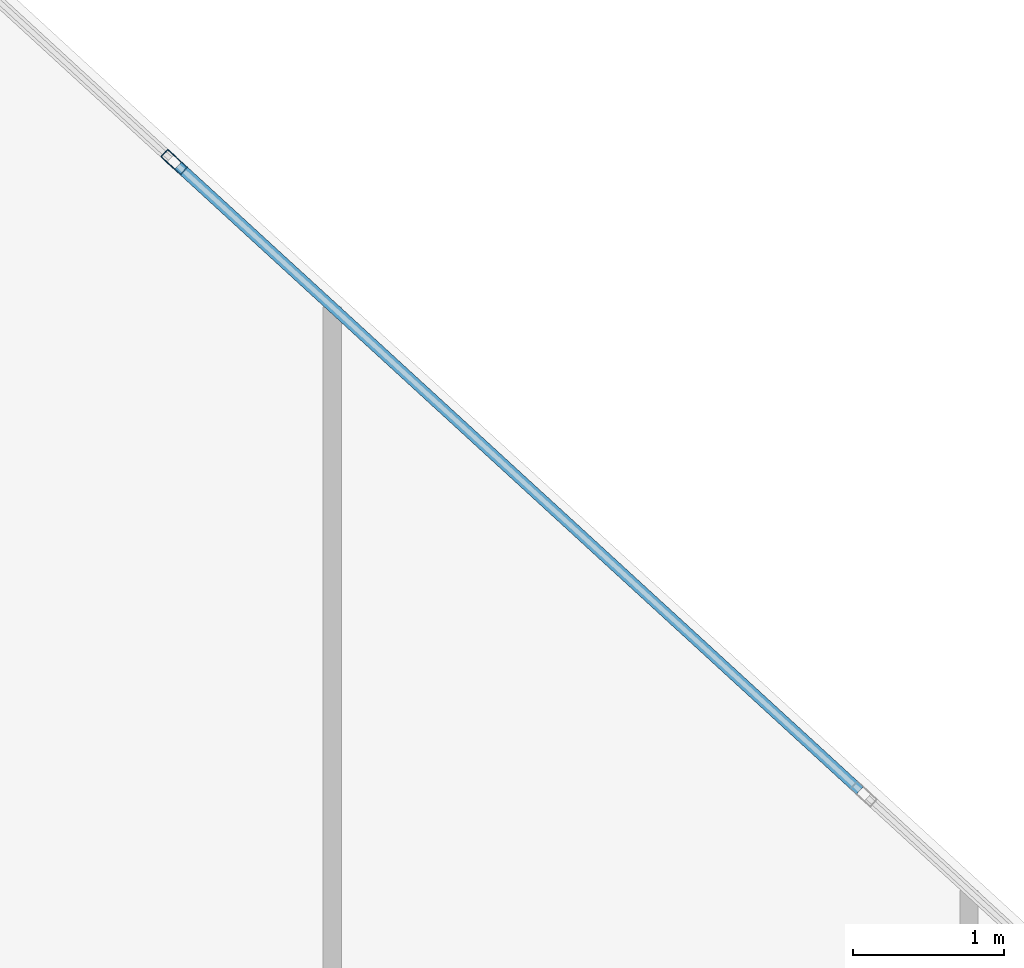
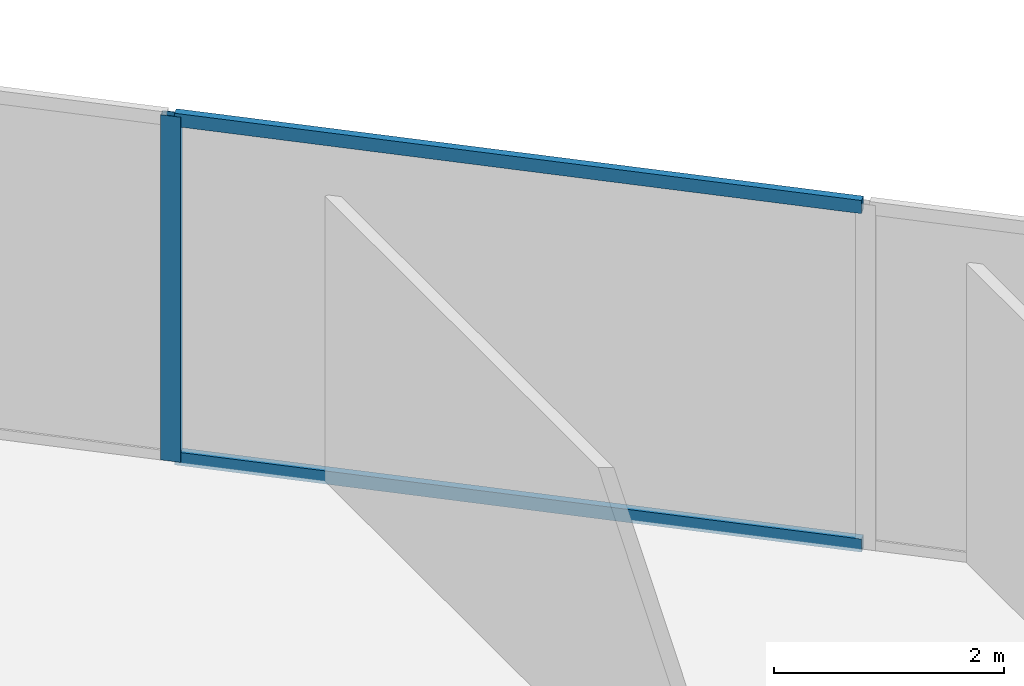
# One storey, part 20 of 26: 3 members, 1 element without a shape of its own.
"""IFC4 building model written with IfcOpenShell, lengths in metres."""

from ifc_helpers import new_model, si_unit, direction, frame, origin, origin_2d, place, context, subcontext, project, spatial, hollow_rectangle, extrude, source, transform, mapped, material, material_profile, profile_set, type_object, type_shapes, element, aggregate, save


model = new_model("IFC4")

# Units and contexts
model_context = context("Model", 3, precision=1e-05, world=origin(), true_north=direction((0.0, 1.0)))
body_context = subcontext(model_context, "Body", "Model", "MODEL_VIEW")
ifc_project = project(units=[si_unit("LENGTHUNIT", "METRE"), si_unit("AREAUNIT", "SQUARE_METRE"), si_unit("VOLUMEUNIT", "CUBIC_METRE"), si_unit("PLANEANGLEUNIT", "RADIAN"), si_unit("MASSUNIT", "GRAM", prefix="KILO")], contexts=[model_context])

# Site, building, storey
site_placement = place(None, origin())
site = spatial("IfcSite", under=ifc_project, at=site_placement, CompositionType="ELEMENT")
building_placement = place(site_placement, origin())
building = spatial("IfcBuilding", under=site, at=building_placement, Name="Krantzveldt Concourse Tower", CompositionType="ELEMENT")
storey_placement = place(building_placement, frame((0.0, 0.0, 219.14990234375)))
storey = spatial("IfcBuildingStorey", under=building, at=storey_placement, Name="L53", CompositionType="ELEMENT", Elevation=219.14990234375)

# Curtain wall, members
ifc_material = material(Name="Anodised aluminium 6063-T6", Category="aluminium")
curtain_wall_type = type_object("IfcCurtainWallType", Name="CW3", PredefinedType="USERDEFINED", material=ifc_material)
curtain_wall_placement = place(storey_placement, origin())
curtain_wall = element("IfcCurtainWall", 1, at=curtain_wall_placement, inside=storey, type_object=curtain_wall_type, Name="CW-L53-F14", ObjectType="UNITISED CURTAIN WALL", PredefinedType="USERDEFINED")
ifc_material_profile_1 = material_profile(ifc_material, hollow_rectangle(XDim=0.070068359375, YDim=0.179931640625, WallThickness=0.0048828125, at=origin_2d()), Name="Anodised aluminium 6063-T6", Category="aluminium")
ifc_profile_set_1 = profile_set([ifc_material_profile_1], Name="Anodised aluminium 6063-T6 - ALU-MULL 180x70x5")
member_type_1 = type_object("IfcMemberType", Name="CW-MUL-180", PredefinedType="MULLION", material=ifc_profile_set_1)
shared_shape_1 = source(origin(), body_context, "Body", "SweptSolid", [
    extrude(hollow_rectangle(XDim=0.070068359375, YDim=0.179931640625, WallThickness=0.0048828125, at=origin_2d()), origin(), (0.0, 0.0, 1.0), 3.670166015625),
])
type_shapes(member_type_1, [shared_shape_1])
member_1_placement = place(storey_placement, frame((42.93212890625, 48.03076171875, 0.0), z_axis=(0.0, 0.0, 1.0), x_axis=(-0.675590053651, -0.737277477893, 0.0)))
member_1 = element("IfcMember", 2, at=member_1_placement, type_object=member_type_1, Name="CW-Z34 mullion 5", PredefinedType="MULLION", context=body_context, shape_type="MappedRepresentation", body=[
    mapped(shared_shape_1, transform((0.0, 0.0, 0.0), x_axis=(1.0, 0.0, 0.0), y_axis=(0.0, 1.0, 0.0), z_axis=(0.0, 0.0, 1.0), scale=1.0)),
])
ifc_material_profile_2 = material_profile(ifc_material, hollow_rectangle(XDim=0.070068359375, YDim=0.139892578125, WallThickness=0.0048828125, at=origin_2d()), Name="Anodised aluminium 6063-T6", Category="aluminium")
ifc_profile_set_2 = profile_set([ifc_material_profile_2], Name="Anodised aluminium 6063-T6 - ALU-TRAN 140x70x5")
member_type_2 = type_object("IfcMemberType", Name="CW-TRN-150", PredefinedType="USERDEFINED", material=ifc_profile_set_2)
shared_shape_2 = source(origin(), body_context, "Body", "SweptSolid", [
    extrude(hollow_rectangle(XDim=0.070068359375, YDim=0.139892578125, WallThickness=0.0048828125, at=origin_2d()), origin(), (0.0, 0.0, 1.0), 6.130126953125),
])
type_shapes(member_type_2, [shared_shape_2])
member_2_placement = place(storey_placement, frame((47.4775390625, 43.86572265625, 0.03515625), z_axis=(-0.737279770771, 0.675587551404, 0.0), x_axis=(-0.675587551404, -0.737279770771, 0.0)))
member_2 = element("IfcMember", 3, at=member_2_placement, type_object=member_type_2, Name="CW-Z34 transom 4.1", ObjectType="TRANSOM", PredefinedType="USERDEFINED", context=body_context, shape_type="MappedRepresentation", body=[
    mapped(shared_shape_2, transform((0.0, 0.0, 0.0), x_axis=(1.0, 0.0, 0.0), y_axis=(0.0, 1.0, 0.0), z_axis=(0.0, 0.0, 1.0), scale=1.0)),
])
member_3_placement = place(storey_placement, frame((47.4775390625, 43.86572265625, 3.635009765625), z_axis=(-0.737279770771, 0.675587551404, 0.0), x_axis=(-0.675587551404, -0.737279770771, 0.0)))
member_3 = element("IfcMember", 4, at=member_3_placement, type_object=member_type_2, Name="CW-Z34 transom 4.2", ObjectType="TRANSOM", PredefinedType="USERDEFINED", context=body_context, shape_type="MappedRepresentation", body=[
    mapped(shared_shape_2, transform((0.0, 0.0, 0.0), x_axis=(1.0, 0.0, 0.0), y_axis=(0.0, 1.0, 0.0), z_axis=(0.0, 0.0, 1.0), scale=1.0)),
])
aggregate(curtain_wall, [member_1, member_2, member_3])

save(model, "model.ifc")
